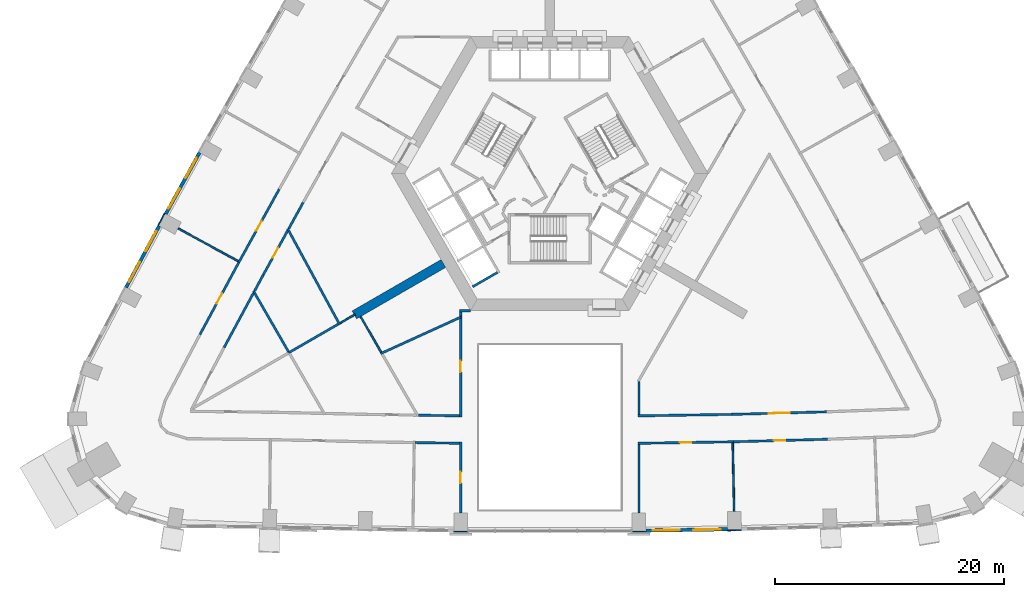
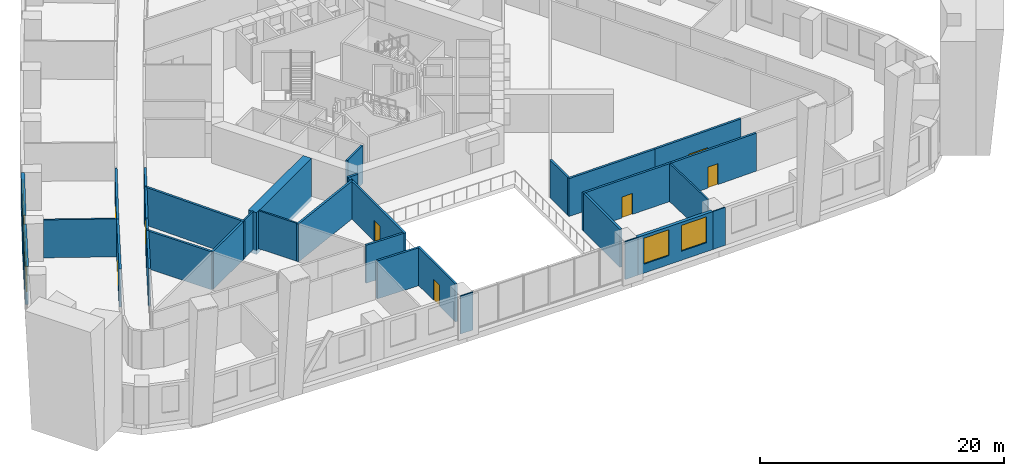
# One storey, part 5 of 16: 35 walls, 8 doors, 6 windows, 14 openings.
"""IFC4 building model written with IfcOpenShell, lengths in metres."""

import ifcopenshell
import ifcopenshell.guid

model = None  # the IFC model being written
_history = None  # IfcOwnerHistory: only IFC2X3 demands one
_inside = {}  # id of a spatial element -> (the spatial element, [elements in it])
_under = {}  # id of a project, library or spatial element -> (it, [spatial elements below it])
_declared = {}  # id of a project -> (the project, [libraries it declares])
_typed = {}  # id of a type object -> (the type object, [elements of that type])
_made_of = {}  # id of a material, layer set ... -> (it, [elements and type objects made of it])


def new_model(schema):
    """Start an empty IFC model of exactly this schema.

    Asked for "IFC4X3", IfcOpenShell would pick the latest addendum, in which some entities
    have other attributes; the version numbers below select the first issue.
    IFC2X3 requires an IfcOwnerHistory on every rooted entity: one is made here for all.
    """
    global model, _history
    if schema == "IFC4X3":
        model = ifcopenshell.file(schema_version=(4, 3, 0, 0))
    else:
        model = ifcopenshell.file(schema=schema)
    _inside.clear()
    _under.clear()
    _declared.clear()
    _typed.clear()
    _made_of.clear()
    _history = None
    if model.schema == "IFC2X3":
        org = make("IfcOrganization", Name="unknown")
        user = make(
            "IfcPersonAndOrganization",
            ThePerson=make("IfcPerson", FamilyName="unknown"),
            TheOrganization=org,
        )
        app = make(
            "IfcApplication",
            ApplicationDeveloper=org,
            Version="unknown",
            ApplicationFullName="unknown",
            ApplicationIdentifier="unknown",
        )
        _history = make(
            "IfcOwnerHistory",
            OwningUser=user,
            OwningApplication=app,
            ChangeAction="ADDED",
            CreationDate=0,
        )
    return model


def make(cls, **values):
    """One entity of the class cls with the attributes given. An attribute that is None is left unset."""
    return model.create_entity(
        cls, **{name: value for name, value in values.items() if value is not None}
    )


def rooted(cls, **values):
    """An entity with a GlobalId (a new one), such as an element, a storey or a relation."""
    return make(cls, GlobalId=ifcopenshell.guid.new(), OwnerHistory=_history, **values)


def si_unit(unit_type, name, prefix=None):
    """IfcSIUnit, for example si_unit("LENGTHUNIT", "METRE", prefix="MILLI")."""
    return make("IfcSIUnit", UnitType=unit_type, Prefix=prefix, Name=name)


def assignment(units):
    """IfcUnitAssignment: the units of a project."""
    return None if units is None else make("IfcUnitAssignment", Units=units)


def point(xyz):
    """IfcCartesianPoint."""
    return None if xyz is None else make("IfcCartesianPoint", Coordinates=xyz)


def direction(xyz):
    """IfcDirection."""
    return None if xyz is None else make("IfcDirection", DirectionRatios=xyz)


def frame(location, z_axis=None, x_axis=None):
    """IfcAxis2Placement3D, a coordinate frame: its origin and axes. An axis left out is left unset."""
    return make(
        "IfcAxis2Placement3D",
        Location=point(location),
        Axis=direction(z_axis),
        RefDirection=direction(x_axis),
    )


def frame_2d(location, x_axis=None):
    """IfcAxis2Placement2D, a coordinate frame in the plane: its origin and x axis."""
    return make(
        "IfcAxis2Placement2D", Location=point(location), RefDirection=direction(x_axis)
    )


def origin():
    """The frame at (0, 0, 0) with its axes left unset."""
    return frame((0.0, 0.0, 0.0))


def place(relative_to, where):
    """IfcLocalPlacement: puts the frame where relative to a parent placement (None: the world)."""
    return make(
        "IfcLocalPlacement", PlacementRelTo=relative_to, RelativePlacement=where
    )


def context(
    kind, dimensions, precision=None, world=None, true_north=None, identifier=None
):
    """IfcGeometricRepresentationContext, for example the 3D "Model" context."""
    return make(
        "IfcGeometricRepresentationContext",
        ContextIdentifier=identifier,
        ContextType=kind,
        CoordinateSpaceDimension=dimensions,
        Precision=precision,
        WorldCoordinateSystem=world,
        TrueNorth=true_north,
    )


def subcontext(parent, identifier, kind, view, scale=None):
    """IfcGeometricRepresentationSubContext, for example "Body" below "Model"."""
    return make(
        "IfcGeometricRepresentationSubContext",
        ContextIdentifier=identifier,
        ContextType=kind,
        ParentContext=parent,
        TargetScale=scale,
        TargetView=view,
    )


def project(units=None, contexts=None):
    """IfcProject with its units and contexts."""
    return rooted(
        "IfcProject",
        Name="project",
        RepresentationContexts=contexts,
        UnitsInContext=assignment(units),
    )


def spatial(cls, under=None, at=None, **own):
    """A site, building, storey or space (cls), placed at a placement, below another one or the project."""
    s = rooted(cls, ObjectPlacement=at, **own)
    if under is not None:
        _under.setdefault(under.id(), (under, []))[1].append(s)
    return s


def profile(cls, at=None, kind="AREA", **sizes):
    """A parametric profile (cls). Its sizes go by their IFC names, for example OverallWidth=200.0."""
    return make(cls, ProfileType=kind, Position=at, **sizes)


def rectangle(**sizes):
    """IfcRectangleProfileDef."""
    return profile("IfcRectangleProfileDef", **sizes)


def extrude(swept, where, along, depth):
    """IfcExtrudedAreaSolid: the profile swept, set in the frame where, extruded along a direction by depth."""
    return make(
        "IfcExtrudedAreaSolid",
        SweptArea=swept,
        Position=where,
        ExtrudedDirection=direction(along),
        Depth=depth,
    )


def shape(context_of_items, identifier, shape_type, items):
    """IfcShapeRepresentation: the items that make up one representation, for example the "Body"."""
    return make(
        "IfcShapeRepresentation",
        ContextOfItems=context_of_items,
        RepresentationIdentifier=identifier,
        RepresentationType=shape_type,
        Items=items,
    )


def material(Name=None, Category=None):
    """IfcMaterial."""
    return make("IfcMaterial", Name=Name, Category=Category)


def layer(
    of_material, thickness, ventilated=None, Name=None, Category=None, Priority=None
):
    """IfcMaterialLayer: one layer of a wall or slab, of a material (None: an air gap)."""
    return make(
        "IfcMaterialLayer",
        Material=of_material,
        LayerThickness=thickness,
        IsVentilated=ventilated,
        Name=Name,
        Category=Category,
        Priority=Priority,
    )


def layer_set(layers, Name=None):
    """IfcMaterialLayerSet."""
    return make("IfcMaterialLayerSet", MaterialLayers=layers, LayerSetName=Name)


def made_of(thing, what):
    """Note that an element or type object is made of a material, layer set ...; save() writes the relation."""
    if what is not None:
        _made_of.setdefault(what.id(), (what, []))[1].append(thing)
    return thing


def type_object(cls, material=None, **own):
    """A type object (cls), such as IfcWallType, which elements share."""
    return made_of(rooted(cls, **own), material)


def element(
    cls,
    number,
    at=None,
    inside=None,
    cuts=None,
    type_object=None,
    material=None,
    context=None,
    identifier="Body",
    shape_type=None,
    held_by="IfcProductDefinitionShape",
    body=None,
    shapes=None,
    **own,
):
    """One element of the class cls, such as IfcWall. Its Tag is "e" and its number.

    at: its placement. inside: the storey or other place that contains it. cuts: it is an
    opening in that element (IfcRelVoidsElement). A single representation is given by context,
    identifier, shape_type and body (its items); several are given by shapes. held_by: the class
    of the entity that holds the representations. save() writes the other relations.
    """
    e = rooted(cls, Tag="e%d" % number, ObjectPlacement=at, **own)
    if body is not None:
        shapes = [shape(context, identifier, shape_type, body)]
    if shapes is not None:
        e.Representation = make(held_by, Representations=shapes)
    if inside is not None:
        _inside.setdefault(inside.id(), (inside, []))[1].append(e)
    if cuts is not None:
        rooted(
            "IfcRelVoidsElement", RelatingBuildingElement=cuts, RelatedOpeningElement=e
        )
    if type_object is not None:
        _typed.setdefault(type_object.id(), (type_object, []))[1].append(e)
    return made_of(e, material)


def fill(opening, filler):
    """IfcRelFillsElement: the door or window that sits in an opening."""
    return rooted(
        "IfcRelFillsElement",
        RelatingOpeningElement=opening,
        RelatedBuildingElement=filler,
    )


def aggregate(whole, parts):
    """IfcRelAggregates: a whole, such as a stair, and the parts it consists of."""
    return rooted("IfcRelAggregates", RelatingObject=whole, RelatedObjects=parts)


def save(model, path):
    """Write the relations noted so far, then the file.

    IfcRelAggregates (storeys below a building ...), IfcRelContainedInSpatialStructure (elements
    in a storey), IfcRelDefinesByType, IfcRelAssociatesMaterial and IfcRelDeclares: one each for
    every whole, place, type object, material and project.
    """
    for whole, parts in _under.values():
        aggregate(whole, parts)
    for where, things in _inside.values():
        rooted(
            "IfcRelContainedInSpatialStructure",
            RelatedElements=things,
            RelatingStructure=where,
        )
    for kind, things in _typed.values():
        rooted("IfcRelDefinesByType", RelatedObjects=things, RelatingType=kind)
    for what, things in _made_of.values():
        rooted("IfcRelAssociatesMaterial", RelatedObjects=things, RelatingMaterial=what)
    for by, libraries in _declared.values():
        rooted("IfcRelDeclares", RelatingContext=by, RelatedDefinitions=libraries)
    model.write(path)


model = new_model("IFC4")

# Units and contexts
model_context = context("Model", 3, precision=1e-05, world=origin(), true_north=direction((0.0, 1.0)))
body_context = subcontext(model_context, "Body", "Model", "MODEL_VIEW")
ifc_project = project(units=[si_unit("LENGTHUNIT", "METRE"), si_unit("AREAUNIT", "SQUARE_METRE"), si_unit("VOLUMEUNIT", "CUBIC_METRE"), si_unit("PLANEANGLEUNIT", "RADIAN"), si_unit("MASSUNIT", "GRAM", prefix="KILO")], contexts=[model_context])

# Site, building, storey
site_placement = place(None, origin())
site = spatial("IfcSite", under=ifc_project, at=site_placement, CompositionType="ELEMENT")
building_placement = place(site_placement, origin())
building = spatial("IfcBuilding", under=site, at=building_placement, Name="Entoto Arch Interchange Tower", CompositionType="ELEMENT")
storey_placement = place(building_placement, frame((0.0, 0.0, 47.60009765625)))
storey = spatial("IfcBuildingStorey", under=building, at=storey_placement, Name="L09", CompositionType="ELEMENT", Elevation=47.60009765625)

# Walls
ifc_material_1 = material(Name="Concrete C60/75", Category="concrete")
ifc_layer_1 = layer(ifc_material_1, 0.800048828125)
ifc_layer_set_1 = layer_set([ifc_layer_1], Name="Concrete C60/75")
wall_type_1 = type_object("IfcWallType", Name="Buttress wall 800 C60/75", PredefinedType="SHEAR", material=ifc_layer_set_1)
wall_1_placement = place(storey_placement, frame((-9.31005859375, -5.375, -0.400146484375), z_axis=(0.0, 0.0, 1.0), x_axis=(-0.866017533419, -0.500013631625, 0.0)))
element("IfcWall", 1, at=wall_1_placement, inside=storey, type_object=wall_type_1, Name="Buttress wall SW L09", PredefinedType="SHEAR", context=body_context, shape_type="SweptSolid", body=[
    extrude(rectangle(XDim=8.999755859375, YDim=0.800048828125, at=frame_2d((4.5, 0.0))), origin(), (0.0, 0.0, 1.0), 4.199951171875),
])
ifc_material_2 = material(Name="Concrete C40/50", Category="concrete")
ifc_layer_2 = layer(ifc_material_2, 0.199951171875)
ifc_layer_set_2 = layer_set([ifc_layer_2], Name="Concrete C40/50")
wall_type_2 = type_object("IfcWallType", Name="LIFT SHAFT WALL 200", PredefinedType="STANDARD", material=ifc_layer_set_2)
wall_2_placement = place(storey_placement, frame((-4.587890625, -6.153076171875, 0.0), z_axis=(0.0, 0.0, 1.0), x_axis=(-0.866022959057, -0.500004234368, 0.0)))
element("IfcWall", 2, at=wall_2_placement, inside=storey, type_object=wall_type_2, Name="Shaft wall SW3 cross 5", PredefinedType="STANDARD", context=body_context, shape_type="SweptSolid", body=[
    extrude(rectangle(XDim=2.5, YDim=0.199951171875, at=frame_2d((1.25, 0.0))), origin(), (0.0, 0.0, 1.0), 3.7998046875),
])
ifc_material_3 = material(Name="Gypsum board partition on steel studs", Category="steel")
ifc_layer_3 = layer(ifc_material_3, 0.14990234375)
ifc_layer_set_3 = layer_set([ifc_layer_3], Name="Gypsum board partition on steel studs")
wall_type_3 = type_object("IfcWallType", Name="PARTITION 150", PredefinedType="PARTITIONING", material=ifc_layer_set_3)
wall_3_placement = place(storey_placement, frame((-14.760986328125, -13.134033203125, 0.0), z_axis=(0.0, 0.0, 1.0), x_axis=(-0.499704810774, 0.866195764299, 0.0)))
element("IfcWall", 3, at=wall_3_placement, inside=storey, type_object=wall_type_3, Name="wall:L09:p125", PredefinedType="PARTITIONING", context=body_context, shape_type="SweptSolid", body=[
    extrude(rectangle(XDim=3.593994140625, YDim=0.14990234375, at=frame_2d((1.796875, 0.0))), origin(), (0.0, 0.0, 1.0), 3.7998046875),
])
wall_4_placement = place(storey_placement, frame((-17.032958984375, -9.8291015625, 0.0), z_axis=(0.0, 0.0, 1.0), x_axis=(-0.866094414679, -0.49988045057, 0.0)))
element("IfcWall", 4, at=wall_4_placement, inside=storey, type_object=wall_type_3, Name="wall:L09:p126", PredefinedType="PARTITIONING", context=body_context, shape_type="SweptSolid", body=[
    extrude(rectangle(XDim=1.515869140625, YDim=0.14990234375, at=frame_2d((0.7578125, 0.0))), origin(), (0.0, 0.0, 1.0), 3.7998046875),
])
wall_5_placement = place(storey_placement, frame((16.0048828125, -21.0791015625, 0.0), z_axis=(0.0, 0.0, 1.0), x_axis=(0.021436771826, -0.999770206004, 0.0)))
element("IfcWall", 5, at=wall_5_placement, inside=storey, type_object=wall_type_3, Name="wall:L09:p132", PredefinedType="PARTITIONING", context=body_context, shape_type="SweptSolid", body=[
    extrude(rectangle(XDim=5.979248046875, YDim=0.14990234375, at=frame_2d((2.98974609375, 0.0))), origin(), (0.0, 0.0, 1.0), 3.7998046875),
])
wall_6_placement = place(storey_placement, frame((-27.26806640625, -5.1708984375, 0.0), z_axis=(0.0, 0.0, 1.0), x_axis=(-0.877837854343, 0.478957932895, 0.0)))
element("IfcWall", 6, at=wall_6_placement, inside=storey, type_object=wall_type_3, Name="wall:L09:p143", PredefinedType="PARTITIONING", context=body_context, shape_type="SweptSolid", body=[
    extrude(rectangle(XDim=5.981689453125, YDim=0.14990234375, at=frame_2d((2.99072265625, 0.0))), origin(), (0.0, 0.0, 1.0), 3.7998046875),
])
ifc_layer_4 = layer(ifc_material_3, 0.199951171875)
ifc_layer_set_4 = layer_set([ifc_layer_4], Name="Gypsum board partition on steel studs")
wall_type_4 = type_object("IfcWallType", Name="PARTITION 200", PredefinedType="PARTITIONING", material=ifc_layer_set_4)
wall_7_placement = place(storey_placement, frame((7.699951171875, -18.7099609375, 0.0), z_axis=(0.0, 0.0, 1.0), x_axis=(0.999874256061, 0.015857870791, 0.0)))
element("IfcWall", 7, at=wall_7_placement, inside=storey, type_object=wall_type_4, Name="wall:L09:p018", PredefinedType="PARTITIONING", context=body_context, shape_type="SweptSolid", body=[
    extrude(rectangle(XDim=8.251953125, YDim=0.199951171875, at=frame_2d((4.1259765625, 0.0))), origin(), (0.0, 0.0, 1.0), 3.7998046875),
])

# Wall, opening, door
wall_8_placement = place(storey_placement, frame((15.950927734375, -18.5791015625, 0.0), z_axis=(0.0, 0.0, 1.0), x_axis=(0.999635034593, 0.027014766613, 0.0)))
wall_8 = element("IfcWall", 8, at=wall_8_placement, inside=storey, type_object=wall_type_4, Name="wall:L09:p019", PredefinedType="PARTITIONING", context=body_context, shape_type="SweptSolid", body=[
    extrude(rectangle(XDim=8.260009765625, YDim=0.199951171875, at=frame_2d((4.1298828125, 0.0))), origin(), (0.0, 0.0, 1.0), 3.7998046875),
])
opening_1_placement = place(wall_8_placement, frame((3.22998046875, 0.0, 0.0)))
opening_1 = element("IfcOpeningElement", 9, at=opening_1_placement, cuts=wall_8, Name="Opening L09-D16", PredefinedType="OPENING", context=body_context, shape_type="SweptSolid", body=[
    extrude(rectangle(XDim=1.800048828125, YDim=2.10009765625, at=frame_2d((0.89990234375, 1.050048828125))), frame((0.0, 0.10986328125, 0.0), z_axis=(0.0, -1.0, 0.0), x_axis=(1.0, 0.0, 0.0)), (0.0, 0.0, 1.0), 0.219970703125),
])
ifc_material_4 = material(Name="Timber door leaf in Steel S235 frame", Category="steel")
door_type_1 = type_object("IfcDoorType", Name="DOOR DD-18 1800x2100", OperationType="DOUBLE_DOOR_SINGLE_SWING", PredefinedType="DOOR", material=ifc_material_4)
door_1_placement = place(opening_1_placement, origin())
door_1 = element("IfcDoor", 10, at=door_1_placement, inside=storey, type_object=door_type_1, Name="door:L09:16", OperationType="DOUBLE_DOOR_SINGLE_SWING", OverallHeight=2.10009765625, OverallWidth=1.800048828125, PredefinedType="DOOR", context=body_context, shape_type="SweptSolid", body=[
    extrude(rectangle(XDim=1.800048828125, YDim=2.10009765625, at=frame_2d((0.89990234375, 1.050048828125))), frame((0.0, 0.02490234375, 0.0), z_axis=(0.0, -1.0, 0.0), x_axis=(1.0, 0.0, 0.0)), (0.0, 0.0, 1.0), 0.050048828125),
])
fill(opening_1, door_1)

# Walls
wall_9_placement = place(storey_placement, frame((-21.5849609375, -0.044921875, 0.0), z_axis=(0.0, 0.0, 1.0), x_axis=(-0.483139162319, -0.875543573921, 0.0)))
element("IfcWall", 11, at=wall_9_placement, inside=storey, type_object=wall_type_4, Name="wall:L09:p027", PredefinedType="PARTITIONING", context=body_context, shape_type="SweptSolid", body=[
    extrude(rectangle(XDim=2.610107421875, YDim=0.199951171875, at=frame_2d((1.30517578125, 0.0))), origin(), (0.0, 0.0, 1.0), 3.7998046875),
])
wall_10_placement = place(storey_placement, frame((-11.47705078125, -18.64990234375, 0.0), z_axis=(0.0, 0.0, 1.0), x_axis=(0.9998724957, -0.015968479661, 0.0)))
element("IfcWall", 12, at=wall_10_placement, inside=storey, type_object=wall_type_4, Name="wall:L09:p028", PredefinedType="PARTITIONING", context=body_context, shape_type="SweptSolid", body=[
    extrude(rectangle(XDim=3.57763671875, YDim=0.199951171875, at=frame_2d((1.788818359375, 0.0))), origin(), (0.0, 0.0, 1.0), 3.7998046875),
])

# Wall, opening, door
wall_11_placement = place(storey_placement, frame((-22.94189453125, -2.5048828125, 0.0), z_axis=(0.0, 0.0, 1.0), x_axis=(-0.48320751977, -0.875505849688, 0.0)))
wall_11 = element("IfcWall", 13, at=wall_11_placement, inside=storey, type_object=wall_type_4, Name="wall:L09:p029", PredefinedType="PARTITIONING", context=body_context, shape_type="SweptSolid", body=[
    extrude(rectangle(XDim=4.412353515625, YDim=0.199951171875, at=frame_2d((2.2060546875, 0.0))), origin(), (0.0, 0.0, 1.0), 3.7998046875),
])
opening_2_placement = place(wall_11_placement, frame((1.7060546875, 0.0, 0.0)))
opening_2 = element("IfcOpeningElement", 14, at=opening_2_placement, cuts=wall_11, Name="Opening L09-D23", PredefinedType="OPENING", context=body_context, shape_type="SweptSolid", body=[
    extrude(rectangle(XDim=1.0, YDim=2.10009765625, at=frame_2d((0.5, 1.050048828125))), frame((0.0, 0.10986328125, 0.0), z_axis=(0.0, -1.0, 0.0), x_axis=(1.0, 0.0, 0.0)), (0.0, 0.0, 1.0), 0.219970703125),
])
door_type_2 = type_object("IfcDoorType", Name="DOOR DS-10 1000x2100", OperationType="SINGLE_SWING_LEFT", PredefinedType="DOOR", material=ifc_material_4)
door_2_placement = place(opening_2_placement, origin())
door_2 = element("IfcDoor", 15, at=door_2_placement, inside=storey, type_object=door_type_2, Name="door:L09:23", OperationType="SINGLE_SWING_LEFT", OverallHeight=2.10009765625, OverallWidth=1.0, PredefinedType="DOOR", context=body_context, shape_type="SweptSolid", body=[
    extrude(rectangle(XDim=1.0, YDim=2.10009765625, at=frame_2d((0.5, 1.050048828125))), frame((0.0, 0.02490234375, 0.0), z_axis=(0.0, -1.0, 0.0), x_axis=(1.0, 0.0, 0.0)), (0.0, 0.0, 1.0), 0.050048828125),
])
fill(opening_2, door_2)

# Walls
wall_12_placement = place(storey_placement, frame((-25.073974609375, -6.367919921875, 0.0), z_axis=(0.0, 0.0, 1.0), x_axis=(-0.474616646546, -0.880192614614, 0.0)))
element("IfcWall", 16, at=wall_12_placement, inside=storey, type_object=wall_type_4, Name="wall:L09:p030", PredefinedType="PARTITIONING", context=body_context, shape_type="SweptSolid", body=[
    extrude(rectangle(XDim=1.60546875, YDim=0.199951171875, at=frame_2d((0.802734375, 0.0))), origin(), (0.0, 0.0, 1.0), 3.7998046875),
])
wall_13_placement = place(storey_placement, frame((-25.930908203125, -7.95703125, 0.0), z_axis=(0.0, 0.0, 1.0), x_axis=(-0.474554072379, -0.880226352928, 0.0)))
element("IfcWall", 17, at=wall_13_placement, inside=storey, type_object=wall_type_4, Name="wall:L09:p033", PredefinedType="PARTITIONING", context=body_context, shape_type="SweptSolid", body=[
    extrude(rectangle(XDim=5.415771484375, YDim=0.199951171875, at=frame_2d((2.7080078125, 0.0))), origin(), (0.0, 0.0, 1.0), 3.7998046875),
])

# Wall, opening, door
wall_14_placement = place(storey_placement, frame((16.077880859375, -20.97802734375, 0.0), z_axis=(0.0, 0.0, 1.0), x_axis=(-0.999873907997, -0.015879801838, 0.0)))
wall_14 = element("IfcWall", 18, at=wall_14_placement, inside=storey, type_object=wall_type_4, Name="wall:L09:p037", PredefinedType="PARTITIONING", context=body_context, shape_type="SweptSolid", body=[
    extrude(rectangle(XDim=8.37890625, YDim=0.199951171875, at=frame_2d((4.189453125, 0.0))), origin(), (0.0, 0.0, 1.0), 3.7998046875),
])
opening_3_placement = place(wall_14_placement, frame((3.68896484375, 0.0, 0.0)))
opening_3 = element("IfcOpeningElement", 19, at=opening_3_placement, cuts=wall_14, Name="Opening L09-D01", PredefinedType="OPENING", context=body_context, shape_type="SweptSolid", body=[
    extrude(rectangle(XDim=1.0, YDim=2.10009765625, at=frame_2d((0.5, 1.050048828125))), frame((0.0, 0.10986328125, 0.0), z_axis=(0.0, -1.0, 0.0), x_axis=(1.0, 0.0, 0.0)), (0.0, 0.0, 1.0), 0.219970703125),
])
door_3_placement = place(opening_3_placement, origin())
door_3 = element("IfcDoor", 20, at=door_3_placement, inside=storey, type_object=door_type_2, Name="door:L09:01", OperationType="SINGLE_SWING_RIGHT", OverallHeight=2.10009765625, OverallWidth=1.0, PredefinedType="DOOR", context=body_context, shape_type="SweptSolid", body=[
    extrude(rectangle(XDim=1.0, YDim=2.10009765625, at=frame_2d((0.5, 1.050048828125))), frame((0.0, 0.02490234375, 0.0), z_axis=(0.0, -1.0, 0.0), x_axis=(1.0, 0.0, 0.0)), (0.0, 0.0, 1.0), 0.050048828125),
])
fill(opening_3, door_3)

wall_15_placement = place(storey_placement, frame((24.285888671875, -20.7548828125, 0.0), z_axis=(0.0, 0.0, 1.0), x_axis=(-0.999633883909, -0.027057312146, 0.0)))
wall_15 = element("IfcWall", 21, at=wall_15_placement, inside=storey, type_object=wall_type_4, Name="wall:L09:p039", PredefinedType="PARTITIONING", context=body_context, shape_type="SweptSolid", body=[
    extrude(rectangle(XDim=8.2109375, YDim=0.199951171875, at=frame_2d((4.10546875, 0.0))), origin(), (0.0, 0.0, 1.0), 3.7998046875),
])
opening_4_placement = place(wall_15_placement, frame((3.680908203125, 0.0, 0.0)))
opening_4 = element("IfcOpeningElement", 22, at=opening_4_placement, cuts=wall_15, Name="Opening L09-D02", PredefinedType="OPENING", context=body_context, shape_type="SweptSolid", body=[
    extrude(rectangle(XDim=1.0, YDim=2.10009765625, at=frame_2d((0.5, 1.050048828125))), frame((0.0, 0.10986328125, 0.0), z_axis=(0.0, -1.0, 0.0), x_axis=(1.0, 0.0, 0.0)), (0.0, 0.0, 1.0), 0.219970703125),
])
door_4_placement = place(opening_4_placement, origin())
door_4 = element("IfcDoor", 23, at=door_4_placement, inside=storey, type_object=door_type_2, Name="door:L09:02", OperationType="SINGLE_SWING_RIGHT", OverallHeight=2.10009765625, OverallWidth=1.0, PredefinedType="DOOR", context=body_context, shape_type="SweptSolid", body=[
    extrude(rectangle(XDim=1.0, YDim=2.10009765625, at=frame_2d((0.5, 1.050048828125))), frame((0.0, 0.02490234375, 0.0), z_axis=(0.0, -1.0, 0.0), x_axis=(1.0, 0.0, 0.0)), (0.0, 0.0, 1.0), 0.050048828125),
])
fill(opening_4, door_4)

wall_16_placement = place(storey_placement, frame((-27.217041015625, -5.283935546875, 0.0), z_axis=(0.0, 0.0, 1.0), x_axis=(0.483151415114, 0.875536812517, 0.0)))
wall_16 = element("IfcWall", 24, at=wall_16_placement, inside=storey, type_object=wall_type_4, Name="wall:L09:p067", PredefinedType="PARTITIONING", context=body_context, shape_type="SweptSolid", body=[
    extrude(rectangle(XDim=7.31884765625, YDim=0.199951171875, at=frame_2d((3.659423828125, 0.0))), origin(), (0.0, 0.0, 1.0), 3.7998046875),
])
opening_5_placement = place(wall_16_placement, frame((3.158935546875, 0.0, 0.0)))
opening_5 = element("IfcOpeningElement", 25, at=opening_5_placement, cuts=wall_16, Name="Opening L09-D12", PredefinedType="OPENING", context=body_context, shape_type="SweptSolid", body=[
    extrude(rectangle(XDim=1.0, YDim=2.10009765625, at=frame_2d((0.5, 1.050048828125))), frame((0.0, 0.10986328125, 0.0), z_axis=(0.0, -1.0, 0.0), x_axis=(1.0, 0.0, 0.0)), (0.0, 0.0, 1.0), 0.219970703125),
])
door_5_placement = place(opening_5_placement, origin())
door_5 = element("IfcDoor", 26, at=door_5_placement, inside=storey, type_object=door_type_2, Name="door:L09:12", OperationType="SINGLE_SWING_LEFT", OverallHeight=2.10009765625, OverallWidth=1.0, PredefinedType="DOOR", context=body_context, shape_type="SweptSolid", body=[
    extrude(rectangle(XDim=1.0, YDim=2.10009765625, at=frame_2d((0.5, 1.050048828125))), frame((0.0, 0.02490234375, 0.0), z_axis=(0.0, -1.0, 0.0), x_axis=(1.0, 0.0, 0.0)), (0.0, 0.0, 1.0), 0.050048828125),
])
fill(opening_5, door_5)

wall_17_placement = place(storey_placement, frame((-30.618896484375, -11.594970703125, 0.0), z_axis=(0.0, 0.0, 1.0), x_axis=(0.474595197669, 0.880204179921, 0.0)))
wall_17 = element("IfcWall", 27, at=wall_17_placement, inside=storey, type_object=wall_type_4, Name="wall:L09:p075", PredefinedType="PARTITIONING", context=body_context, shape_type="SweptSolid", body=[
    extrude(rectangle(XDim=7.169921875, YDim=0.199951171875, at=frame_2d((3.5849609375, 0.0))), origin(), (0.0, 0.0, 1.0), 3.7998046875),
])
opening_6_placement = place(wall_17_placement, frame((3.0849609375, 0.0, 0.0)))
opening_6 = element("IfcOpeningElement", 28, at=opening_6_placement, cuts=wall_17, Name="Opening L09-D13", PredefinedType="OPENING", context=body_context, shape_type="SweptSolid", body=[
    extrude(rectangle(XDim=1.0, YDim=2.10009765625, at=frame_2d((0.5, 1.050048828125))), frame((0.0, 0.10986328125, 0.0), z_axis=(0.0, -1.0, 0.0), x_axis=(1.0, 0.0, 0.0)), (0.0, 0.0, 1.0), 0.219970703125),
])
door_6_placement = place(opening_6_placement, origin())
door_6 = element("IfcDoor", 29, at=door_6_placement, inside=storey, type_object=door_type_2, Name="door:L09:13", OperationType="SINGLE_SWING_LEFT", OverallHeight=2.10009765625, OverallWidth=1.0, PredefinedType="DOOR", context=body_context, shape_type="SweptSolid", body=[
    extrude(rectangle(XDim=1.0, YDim=2.10009765625, at=frame_2d((0.5, 1.050048828125))), frame((0.0, 0.02490234375, 0.0), z_axis=(0.0, -1.0, 0.0), x_axis=(1.0, 0.0, 0.0)), (0.0, 0.0, 1.0), 0.050048828125),
])
fill(opening_6, door_6)

# Walls
wall_18_placement = place(storey_placement, frame((-7.89990234375, -21.10693359375, 0.0), z_axis=(0.0, 0.0, 1.0), x_axis=(-0.999876676102, 0.015704540367, 0.0)))
element("IfcWall", 30, at=wall_18_placement, inside=storey, type_object=wall_type_4, Name="wall:L09:p078", PredefinedType="PARTITIONING", context=body_context, shape_type="SweptSolid", body=[
    extrude(rectangle(XDim=3.886474609375, YDim=0.199951171875, at=frame_2d((1.943359375, 0.0))), origin(), (0.0, 0.0, 1.0), 3.7998046875),
])
wall_19_placement = place(storey_placement, frame((7.800048828125, -15.68994140625, 0.0), z_axis=(0.0, 0.0, 1.0), x_axis=(0.0, -1.0, 0.0)))
element("IfcWall", 31, at=wall_19_placement, inside=storey, type_object=wall_type_4, Name="wall:L09:p110", PredefinedType="PARTITIONING", context=body_context, shape_type="SweptSolid", body=[
    extrude(rectangle(XDim=2.9189453125, YDim=0.199951171875, at=frame_2d((1.45947265625, 0.0))), origin(), (0.0, 0.0, 1.0), 3.7998046875),
])
wall_20_placement = place(storey_placement, frame((-7.800048828125, -9.971923828125, 0.0), z_axis=(0.0, 0.0, 1.0), x_axis=(0.0, 1.0, 0.0)))
element("IfcWall", 32, at=wall_20_placement, inside=storey, type_object=wall_type_4, Name="wall:L09:p111", PredefinedType="PARTITIONING", context=body_context, shape_type="SweptSolid", body=[
    extrude(rectangle(XDim=0.372802734375, YDim=0.199951171875, at=frame_2d((0.1865234375, 0.0))), origin(), (0.0, 0.0, 1.0), 3.7998046875),
])
wall_21_placement = place(storey_placement, frame((-7.89990234375, -9.4990234375, 0.0), z_axis=(0.0, 0.0, 1.0), x_axis=(1.0, 0.0, 0.0)))
element("IfcWall", 33, at=wall_21_placement, inside=storey, type_object=wall_type_4, Name="wall:L09:p112", PredefinedType="PARTITIONING", context=body_context, shape_type="SweptSolid", body=[
    extrude(rectangle(XDim=0.970947265625, YDim=0.199951171875, at=frame_2d((0.4853515625, 0.0))), origin(), (0.0, 0.0, 1.0), 3.7998046875),
])

# Wall, opening, door
wall_22_placement = place(storey_placement, frame((-7.800048828125, -18.80908203125, 0.0), z_axis=(0.0, 0.0, 1.0), x_axis=(0.0, 1.0, 0.0)))
wall_22 = element("IfcWall", 34, at=wall_22_placement, inside=storey, type_object=wall_type_4, Name="wall:L09:p113", PredefinedType="PARTITIONING", context=body_context, shape_type="SweptSolid", body=[
    extrude(rectangle(XDim=8.837158203125, YDim=0.199951171875, at=frame_2d((4.41845703125, 0.0))), origin(), (0.0, 0.0, 1.0), 3.7998046875),
])
opening_7_placement = place(wall_22_placement, frame((3.91796875, 0.0, 0.0)))
opening_7 = element("IfcOpeningElement", 35, at=opening_7_placement, cuts=wall_22, Name="Opening L09-D22", PredefinedType="OPENING", context=body_context, shape_type="SweptSolid", body=[
    extrude(rectangle(XDim=1.0, YDim=2.10009765625, at=frame_2d((0.5, 1.050048828125))), frame((0.0, 0.10986328125, 0.0), z_axis=(0.0, -1.0, 0.0), x_axis=(1.0, 0.0, 0.0)), (0.0, 0.0, 1.0), 0.219970703125),
])
door_7_placement = place(opening_7_placement, origin())
door_7 = element("IfcDoor", 36, at=door_7_placement, inside=storey, type_object=door_type_2, Name="door:L09:22", OperationType="SINGLE_SWING_RIGHT", OverallHeight=2.10009765625, OverallWidth=1.0, PredefinedType="DOOR", context=body_context, shape_type="SweptSolid", body=[
    extrude(rectangle(XDim=1.0, YDim=2.10009765625, at=frame_2d((0.5, 1.050048828125))), frame((0.0, 0.02490234375, 0.0), z_axis=(0.0, -1.0, 0.0), x_axis=(1.0, 0.0, 0.0)), (0.0, 0.0, 1.0), 0.050048828125),
])
fill(opening_7, door_7)

# Wall
wall_23_placement = place(storey_placement, frame((7.800048828125, -21.208984375, 0.0), z_axis=(0.0, 0.0, 1.0), x_axis=(0.0, -1.0, 0.0)))
element("IfcWall", 37, at=wall_23_placement, inside=storey, type_object=wall_type_4, Name="wall:L09:p114", PredefinedType="PARTITIONING", context=body_context, shape_type="SweptSolid", body=[
    extrude(rectangle(XDim=5.98095703125, YDim=0.199951171875, at=frame_2d((2.990478515625, 0.0))), origin(), (0.0, 0.0, 1.0), 3.7998046875),
])

# Wall, opening, door
wall_24_placement = place(storey_placement, frame((-7.800048828125, -27.18994140625, 0.0), z_axis=(0.0, 0.0, 1.0), x_axis=(0.0, 1.0, 0.0)))
wall_24 = element("IfcWall", 38, at=wall_24_placement, inside=storey, type_object=wall_type_4, Name="wall:L09:p115", PredefinedType="PARTITIONING", context=body_context, shape_type="SweptSolid", body=[
    extrude(rectangle(XDim=6.180908203125, YDim=0.199951171875, at=frame_2d((3.09033203125, 0.0))), origin(), (0.0, 0.0, 1.0), 3.7998046875),
])
opening_8_placement = place(wall_24_placement, frame((2.590087890625, 0.0, 0.0)))
opening_8 = element("IfcOpeningElement", 39, at=opening_8_placement, cuts=wall_24, Name="Opening L09-D15", PredefinedType="OPENING", context=body_context, shape_type="SweptSolid", body=[
    extrude(rectangle(XDim=1.0, YDim=2.10009765625, at=frame_2d((0.5, 1.050048828125))), frame((0.0, 0.10986328125, 0.0), z_axis=(0.0, -1.0, 0.0), x_axis=(1.0, 0.0, 0.0)), (0.0, 0.0, 1.0), 0.219970703125),
])
door_8_placement = place(opening_8_placement, origin())
door_8 = element("IfcDoor", 40, at=door_8_placement, inside=storey, type_object=door_type_2, Name="door:L09:15", OperationType="SINGLE_SWING_LEFT", OverallHeight=2.10009765625, OverallWidth=1.0, PredefinedType="DOOR", context=body_context, shape_type="SweptSolid", body=[
    extrude(rectangle(XDim=1.0, YDim=2.10009765625, at=frame_2d((0.5, 1.050048828125))), frame((0.0, 0.02490234375, 0.0), z_axis=(0.0, -1.0, 0.0), x_axis=(1.0, 0.0, 0.0)), (0.0, 0.0, 1.0), 0.050048828125),
])
fill(opening_8, door_8)

# Walls
wall_25_placement = place(storey_placement, frame((-7.800048828125, -10.072021484375, 0.0), z_axis=(0.0, 0.0, 1.0), x_axis=(-0.910011899741, -0.414582129777, 0.0)))
element("IfcWall", 41, at=wall_25_placement, inside=storey, type_object=wall_type_4, Name="wall:L09:p123", PredefinedType="PARTITIONING", context=body_context, shape_type="SweptSolid", body=[
    extrude(rectangle(XDim=7.6943359375, YDim=0.199951171875, at=frame_2d((3.84716796875, 0.0))), origin(), (0.0, 0.0, 1.0), 3.7998046875),
])
wall_26_placement = place(storey_placement, frame((-18.384033203125, -10.72509765625, 0.0), z_axis=(0.0, 0.0, 1.0), x_axis=(-0.477137547132, 0.878828630119, 0.0)))
element("IfcWall", 42, at=wall_26_placement, inside=storey, type_object=wall_type_4, Name="wall:L09:p124", PredefinedType="PARTITIONING", context=body_context, shape_type="SweptSolid", body=[
    extrude(rectangle(XDim=9.552490234375, YDim=0.199951171875, at=frame_2d((4.7763671875, 0.0))), origin(), (0.0, 0.0, 1.0), 3.7998046875),
])
wall_27_placement = place(storey_placement, frame((-18.51904296875, -10.68701171875, 0.0), z_axis=(0.0, 0.0, 1.0), x_axis=(-0.866063668779, -0.499933717229, 0.0)))
element("IfcWall", 43, at=wall_27_placement, inside=storey, type_object=wall_type_4, Name="wall:L09:p128", PredefinedType="PARTITIONING", context=body_context, shape_type="SweptSolid", body=[
    extrude(rectangle(XDim=4.968505859375, YDim=0.199951171875, at=frame_2d((2.484375, 0.0))), origin(), (0.0, 0.0, 1.0), 3.7998046875),
])
wall_28_placement = place(storey_placement, frame((-22.822021484375, -13.1708984375, 0.0), z_axis=(0.0, 0.0, 1.0), x_axis=(-0.499974913987, 0.866039886717, 0.0)))
element("IfcWall", 44, at=wall_28_placement, inside=storey, type_object=wall_type_4, Name="wall:L09:p129", PredefinedType="PARTITIONING", context=body_context, shape_type="SweptSolid", body=[
    extrude(rectangle(XDim=6.222412109375, YDim=0.199951171875, at=frame_2d((3.111328125, 0.0))), origin(), (0.0, 0.0, 1.0), 3.7998046875),
])

# Wall, openings, windows
ifc_material_5 = material(Name="Welded tuff (ignimbrite) cladding, warm buff", Category="masonry")
ifc_layer_5 = layer(ifc_material_5, 0.300048828125)
ifc_layer_set_5 = layer_set([ifc_layer_5], Name="Welded tuff (ignimbrite) cladding, warm buff")
wall_type_5 = type_object("IfcWallType", Name="STONE INFILL WALL 300", PredefinedType="STANDARD", material=ifc_layer_set_5)
wall_29_placement = place(storey_placement, frame((8.39794921875, -28.75, 0.0), z_axis=(0.0, 0.0, 1.0), x_axis=(0.999875756772, 0.015762963512, 0.0)))
wall_29 = element("IfcWall", 45, at=wall_29_placement, inside=storey, type_object=wall_type_5, Name="Facade wall S-05 L09", PredefinedType="STANDARD", context=body_context, shape_type="SweptSolid", body=[
    extrude(rectangle(XDim=7.171142578125, YDim=0.300048828125, at=frame_2d((3.58544921875, 0.0))), origin(), (0.0, 0.0, 1.0), 3.7998046875),
])
opening_9_placement = place(wall_29_placement, frame((0.593017578125, 0.0, 0.89990234375)))
opening_9 = element("IfcOpeningElement", 46, at=opening_9_placement, cuts=wall_29, Name="Opening WO-A", PredefinedType="OPENING", context=body_context, shape_type="SweptSolid", body=[
    extrude(rectangle(XDim=2.39990234375, YDim=2.60009765625, at=frame_2d((1.199951171875, 1.300048828125))), frame((0.0, 0.16015625, 0.0), z_axis=(0.0, -1.0, 0.0), x_axis=(1.0, 0.0, 0.0)), (0.0, 0.0, 1.0), 0.320068359375),
])
opening_10_placement = place(wall_29_placement, frame((4.177978515625, 0.0, 0.89990234375)))
opening_10 = element("IfcOpeningElement", 47, at=opening_10_placement, cuts=wall_29, Name="Opening WO-A", PredefinedType="OPENING", context=body_context, shape_type="SweptSolid", body=[
    extrude(rectangle(XDim=2.39990234375, YDim=2.60009765625, at=frame_2d((1.199951171875, 1.300048828125))), frame((0.0, 0.16015625, 0.0), z_axis=(0.0, -1.0, 0.0), x_axis=(1.0, 0.0, 0.0)), (0.0, 0.0, 1.0), 0.320068359375),
])
ifc_material_6 = material(Name="Clear glass, low-e double glazed", Category="glass")
window_type_1 = type_object("IfcWindowType", Name="WINDOW WO-A 2400x2600", PartitioningType="DOUBLE_PANEL_VERTICAL", PredefinedType="WINDOW", material=ifc_material_6)
window_1_placement = place(opening_9_placement, origin())
window_1 = element("IfcWindow", 48, at=window_1_placement, inside=storey, type_object=window_type_1, Name="Window WO-A S-05 L09", OverallHeight=2.60009765625, OverallWidth=2.39990234375, PartitioningType="SINGLE_PANEL", PredefinedType="WINDOW", context=body_context, shape_type="SweptSolid", body=[
    extrude(rectangle(XDim=2.39990234375, YDim=2.60009765625, at=frame_2d((1.199951171875, 1.300048828125))), frame((0.0, 0.030029296875, 0.0), z_axis=(0.0, -1.0, 0.0), x_axis=(1.0, 0.0, 0.0)), (0.0, 0.0, 1.0), 0.06005859375),
])
fill(opening_9, window_1)
window_2_placement = place(opening_10_placement, origin())
window_2 = element("IfcWindow", 49, at=window_2_placement, inside=storey, type_object=window_type_1, Name="Window WO-A S-05 L09", OverallHeight=2.60009765625, OverallWidth=2.39990234375, PartitioningType="SINGLE_PANEL", PredefinedType="WINDOW", context=body_context, shape_type="SweptSolid", body=[
    extrude(rectangle(XDim=2.39990234375, YDim=2.60009765625, at=frame_2d((1.199951171875, 1.300048828125))), frame((0.0, 0.030029296875, 0.0), z_axis=(0.0, -1.0, 0.0), x_axis=(1.0, 0.0, 0.0)), (0.0, 0.0, 1.0), 0.06005859375),
])
fill(opening_10, window_2)

wall_30_placement = place(storey_placement, frame((-30.64990234375, 4.327880859375, 0.0), z_axis=(0.0, 0.0, 1.0), x_axis=(-0.483195456594, -0.875512507465, 0.0)))
wall_30 = element("IfcWall", 50, at=wall_30_placement, inside=storey, type_object=wall_type_5, Name="Facade wall NW-07 L09", PredefinedType="STANDARD", context=body_context, shape_type="SweptSolid", body=[
    extrude(rectangle(XDim=6.11962890625, YDim=0.300048828125, at=frame_2d((3.059814453125, 0.0))), origin(), (0.0, 0.0, 1.0), 3.7998046875),
])
opening_11_placement = place(wall_30_placement, frame((0.530029296875, 0.0, 0.89990234375)))
opening_11 = element("IfcOpeningElement", 51, at=opening_11_placement, cuts=wall_30, Name="Opening WO-C", PredefinedType="OPENING", context=body_context, shape_type="SweptSolid", body=[
    extrude(rectangle(XDim=2.0, YDim=2.60009765625, at=frame_2d((1.0, 1.300048828125))), frame((0.0, 0.16015625, 0.0), z_axis=(0.0, -1.0, 0.0), x_axis=(1.0, 0.0, 0.0)), (0.0, 0.0, 1.0), 0.320068359375),
])
opening_12_placement = place(wall_30_placement, frame((3.590087890625, 0.0, 0.89990234375)))
opening_12 = element("IfcOpeningElement", 52, at=opening_12_placement, cuts=wall_30, Name="Opening WO-C", PredefinedType="OPENING", context=body_context, shape_type="SweptSolid", body=[
    extrude(rectangle(XDim=2.0, YDim=2.60009765625, at=frame_2d((1.0, 1.300048828125))), frame((0.0, 0.16015625, 0.0), z_axis=(0.0, -1.0, 0.0), x_axis=(1.0, 0.0, 0.0)), (0.0, 0.0, 1.0), 0.320068359375),
])
window_type_2 = type_object("IfcWindowType", Name="WINDOW WO-C 2000x2600", PartitioningType="DOUBLE_PANEL_VERTICAL", PredefinedType="WINDOW", material=ifc_material_6)
window_3_placement = place(opening_11_placement, origin())
window_3 = element("IfcWindow", 53, at=window_3_placement, inside=storey, type_object=window_type_2, Name="Window WO-C NW-07 L09", OverallHeight=2.60009765625, OverallWidth=2.0, PartitioningType="SINGLE_PANEL", PredefinedType="WINDOW", context=body_context, shape_type="SweptSolid", body=[
    extrude(rectangle(XDim=2.0, YDim=2.60009765625, at=frame_2d((1.0, 1.300048828125))), frame((0.0, 0.030029296875, 0.0), z_axis=(0.0, -1.0, 0.0), x_axis=(1.0, 0.0, 0.0)), (0.0, 0.0, 1.0), 0.06005859375),
])
fill(opening_11, window_3)
window_4_placement = place(opening_12_placement, origin())
window_4 = element("IfcWindow", 54, at=window_4_placement, inside=storey, type_object=window_type_2, Name="Window WO-C NW-07 L09", OverallHeight=2.60009765625, OverallWidth=2.0, PartitioningType="SINGLE_PANEL", PredefinedType="WINDOW", context=body_context, shape_type="SweptSolid", body=[
    extrude(rectangle(XDim=2.0, YDim=2.60009765625, at=frame_2d((1.0, 1.300048828125))), frame((0.0, 0.030029296875, 0.0), z_axis=(0.0, -1.0, 0.0), x_axis=(1.0, 0.0, 0.0)), (0.0, 0.0, 1.0), 0.06005859375),
])
fill(opening_12, window_4)

wall_31_placement = place(storey_placement, frame((-34.180908203125, -2.08203125, 0.0), z_axis=(0.0, 0.0, 1.0), x_axis=(-0.474584950749, -0.880209704856, 0.0)))
wall_31 = element("IfcWall", 55, at=wall_31_placement, inside=storey, type_object=wall_type_5, Name="Facade wall NW-08 L09", PredefinedType="STANDARD", context=body_context, shape_type="SweptSolid", body=[
    extrude(rectangle(XDim=6.12109375, YDim=0.300048828125, at=frame_2d((3.060546875, 0.0))), origin(), (0.0, 0.0, 1.0), 3.7998046875),
])
opening_13_placement = place(wall_31_placement, frame((0.530029296875, 0.0, 0.89990234375)))
opening_13 = element("IfcOpeningElement", 56, at=opening_13_placement, cuts=wall_31, Name="Opening WO-C", PredefinedType="OPENING", context=body_context, shape_type="SweptSolid", body=[
    extrude(rectangle(XDim=2.0, YDim=2.60009765625, at=frame_2d((1.0, 1.300048828125))), frame((0.0, 0.16015625, 0.0), z_axis=(0.0, -1.0, 0.0), x_axis=(1.0, 0.0, 0.0)), (0.0, 0.0, 1.0), 0.320068359375),
])
opening_14_placement = place(wall_31_placement, frame((3.591064453125, 0.0, 0.89990234375)))
opening_14 = element("IfcOpeningElement", 57, at=opening_14_placement, cuts=wall_31, Name="Opening WO-C", PredefinedType="OPENING", context=body_context, shape_type="SweptSolid", body=[
    extrude(rectangle(XDim=2.0, YDim=2.60009765625, at=frame_2d((1.0, 1.300048828125))), frame((0.0, 0.16015625, 0.0), z_axis=(0.0, -1.0, 0.0), x_axis=(1.0, 0.0, 0.0)), (0.0, 0.0, 1.0), 0.320068359375),
])
window_5_placement = place(opening_13_placement, origin())
window_5 = element("IfcWindow", 58, at=window_5_placement, inside=storey, type_object=window_type_2, Name="Window WO-C NW-08 L09", OverallHeight=2.60009765625, OverallWidth=2.0, PartitioningType="SINGLE_PANEL", PredefinedType="WINDOW", context=body_context, shape_type="SweptSolid", body=[
    extrude(rectangle(XDim=2.0, YDim=2.60009765625, at=frame_2d((1.0, 1.300048828125))), frame((0.0, 0.030029296875, 0.0), z_axis=(0.0, -1.0, 0.0), x_axis=(1.0, 0.0, 0.0)), (0.0, 0.0, 1.0), 0.06005859375),
])
fill(opening_13, window_5)
window_6_placement = place(opening_14_placement, origin())
window_6 = element("IfcWindow", 59, at=window_6_placement, inside=storey, type_object=window_type_2, Name="Window WO-C NW-08 L09", OverallHeight=2.60009765625, OverallWidth=2.0, PartitioningType="SINGLE_PANEL", PredefinedType="WINDOW", context=body_context, shape_type="SweptSolid", body=[
    extrude(rectangle(XDim=2.0, YDim=2.60009765625, at=frame_2d((1.0, 1.300048828125))), frame((0.0, 0.030029296875, 0.0), z_axis=(0.0, -1.0, 0.0), x_axis=(1.0, 0.0, 0.0)), (0.0, 0.0, 1.0), 0.06005859375),
])
fill(opening_14, window_6)

# Walls
ifc_layer_6 = layer(ifc_material_5, 0.10009765625)
ifc_layer_set_6 = layer_set([ifc_layer_6], Name="Welded tuff (ignimbrite) cladding, warm buff")
wall_type_6 = type_object("IfcWallType", Name="STONE PIER CLADDING 100", PredefinedType="STANDARD", material=ifc_layer_set_6)
wall_32_placement = place(storey_placement, frame((-33.697021484375, -0.97998046875, 0.0), z_axis=(0.0, 0.0, 1.0), x_axis=(-0.478267644701, -0.878214131082, 0.0)))
element("IfcWall", 60, at=wall_32_placement, inside=storey, type_object=wall_type_6, Name="Stone pier NW08 L09", PredefinedType="STANDARD", context=body_context, shape_type="SweptSolid", body=[
    extrude(rectangle(XDim=1.2001953125, YDim=0.10009765625, at=frame_2d((0.60009765625, 0.0))), origin(), (0.0, 0.0, 1.0), 3.7998046875),
])
for number, where, z_axis, x_axis, name in (
    (61, (-8.39990234375, -28.85498046875, 0.0), (0.0, 0.0, 1.0), (0.999965208912, -0.008341520563, 0.0), "Stone pier S04 L09"),
    (62, (7.199951171875, -28.864990234375, 0.0), (0.0, 0.0, 1.0), (0.999965208912, 0.008341520563, 0.0), "Stone pier S05 L09"),
):
    element("IfcWall", number, at=place(storey_placement, frame(where, z_axis=z_axis, x_axis=x_axis)), inside=storey, type_object=wall_type_6, Name=name, PredefinedType="STANDARD", context=body_context, shape_type="SweptSolid", body=[
        extrude(rectangle(XDim=1.199951171875, YDim=0.10009765625, at=frame_2d((0.60009765625, 0.0))), origin(), (0.0, 0.0, 1.0), 3.7998046875),
    ])
wall_33_placement = place(storey_placement, frame((15.569091796875, -28.739990234375, 0.0), z_axis=(0.0, 0.0, 1.0), x_axis=(0.99976752127, 0.021561618973, 0.0)))
element("IfcWall", 63, at=wall_33_placement, inside=storey, type_object=wall_type_6, Name="Stone pier S06 L09", PredefinedType="STANDARD", context=body_context, shape_type="SweptSolid", body=[
    extrude(rectangle(XDim=1.2001953125, YDim=0.10009765625, at=frame_2d((0.60009765625, 0.0))), origin(), (0.0, 0.0, 1.0), 3.7998046875),
])

save(model, "model.ifc")
